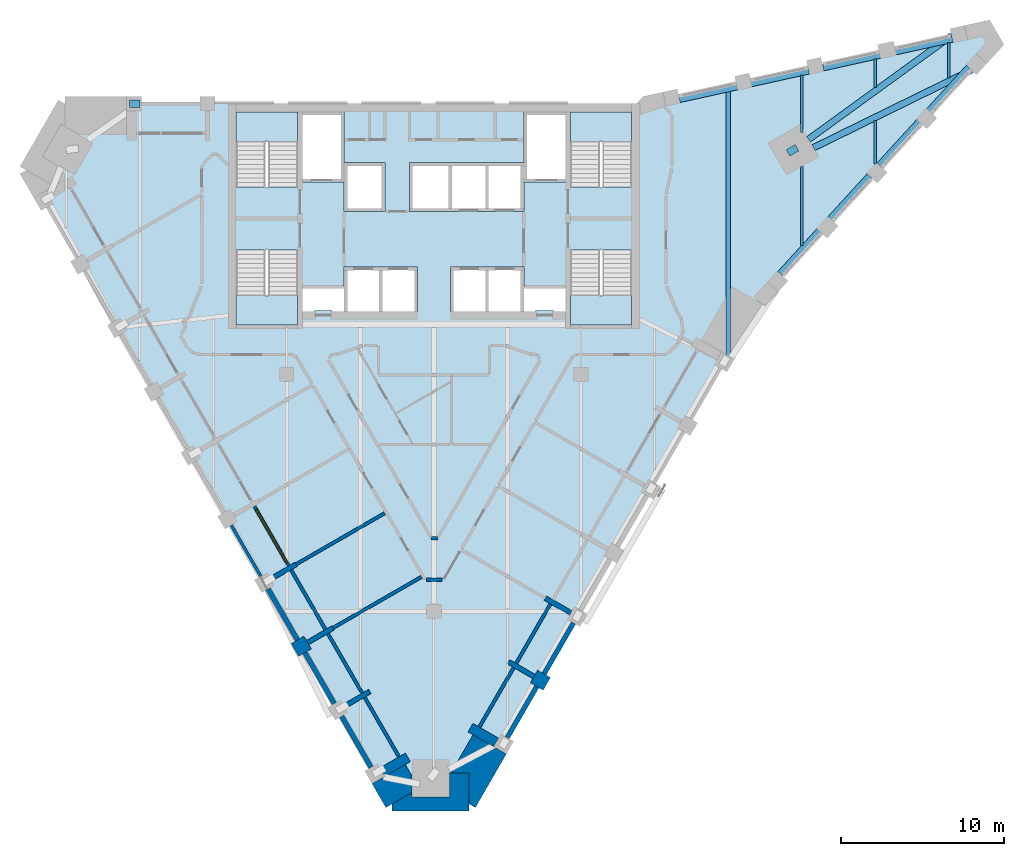
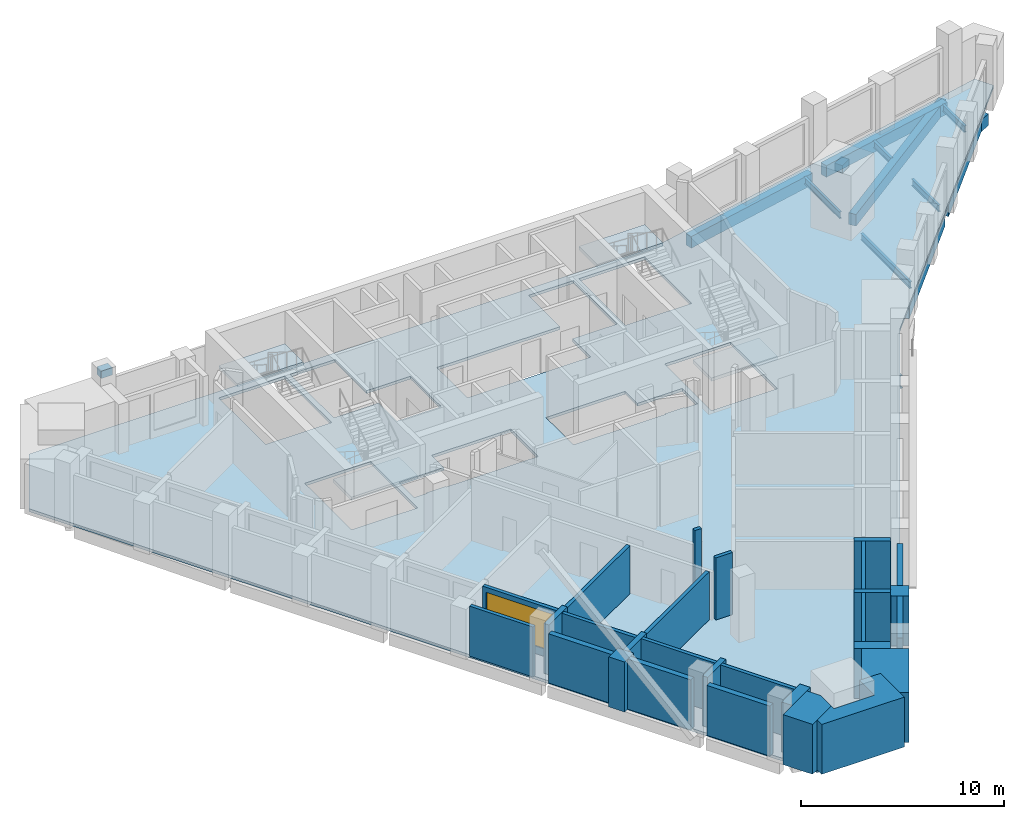
# One storey, part 2 of 9: 28 walls, 14 beams, 5 slabs, 1 window, 1 opening, 4 elements without a shape of their own.
"""IFC4 building model written with IfcOpenShell, lengths in metres."""

from ifc_helpers import new_model, si_unit, direction, frame, frame_2d, origin, origin_2d, place, context, subcontext, project, spatial, polyline, rectangle, i_section, outline, extrude, material, layer, layer_set, material_profile, profile_set, type_object, element, fill, aggregate, save


model = new_model("IFC4")

# Units and contexts
model_context = context("Model", 3, precision=1e-05, world=origin(), true_north=direction((0.0, 1.0)))
body_context = subcontext(model_context, "Body", "Model", "MODEL_VIEW")
ifc_project = project(units=[si_unit("LENGTHUNIT", "METRE"), si_unit("AREAUNIT", "SQUARE_METRE"), si_unit("VOLUMEUNIT", "CUBIC_METRE"), si_unit("PLANEANGLEUNIT", "RADIAN"), si_unit("MASSUNIT", "GRAM", prefix="KILO")], contexts=[model_context])

# Site, building, storey
site_placement = place(None, origin())
site = spatial("IfcSite", under=ifc_project, at=site_placement, CompositionType="ELEMENT")
building_placement = place(site_placement, origin())
building = spatial("IfcBuilding", under=site, at=building_placement, Name="Calabash Gate Tower", CompositionType="ELEMENT")
storey_placement = place(building_placement, frame((0.0, 0.0, 256.0)))
storey = spatial("IfcBuildingStorey", under=building, at=storey_placement, Name="L61", CompositionType="ELEMENT", Elevation=256.0)

# Beams
ifc_material_1 = material(Name="Concrete C80/95", Category="concrete")
ifc_material_profile_1 = material_profile(ifc_material_1, rectangle(XDim=0.449951171875, YDim=0.449951171875, at=origin_2d()))
ifc_profile_set_1 = profile_set([ifc_material_profile_1], Name="Concrete C80/95")
beam_type_1 = type_object("IfcBeamType", Name="Column offset link RC 450x450 Concrete C80/95", PredefinedType="BEAM", material=ifc_profile_set_1)
beam_1_placement = place(storey_placement, frame((21.6689453125, 16.04296875, 3.50390625), z_axis=(0.867052298237, 0.498217133508, 0.0), x_axis=(-0.498217133508, 0.867052298237, 0.0)))
element("IfcBeam", 1, at=beam_1_placement, inside=storey, type_object=beam_type_1, Name="Column offset link L61 NE", PredefinedType="BEAM", context=body_context, shape_type="SweptSolid", body=[
    extrude(rectangle(XDim=0.449951171875, YDim=0.449951171875, at=origin_2d()), origin(), (0.0, 0.0, 1.0), 0.632080078125),
])
beam_2_placement = place(storey_placement, frame((-18.618896484375, 19.052978515625, 3.50390625), z_axis=(1.0, 0.0, 0.0), x_axis=(0.0, 1.0, 0.0)))
element("IfcBeam", 2, at=beam_2_placement, inside=storey, type_object=beam_type_1, Name="Column offset link L61 P31", PredefinedType="BEAM", context=body_context, shape_type="SweptSolid", body=[
    extrude(rectangle(XDim=0.449951171875, YDim=0.449951171875, at=origin_2d()), origin(), (0.0, 0.0, 1.0), 0.6298828125),
])
ifc_material_2 = material(Name="Concrete C50/60", Category="concrete")
ifc_material_profile_2 = material_profile(ifc_material_2, rectangle(XDim=0.39990234375, YDim=0.699951171875, at=origin_2d()))
ifc_profile_set_2 = profile_set([ifc_material_profile_2], Name="Concrete C50/60")
beam_type_2 = type_object("IfcBeamType", Name="Edge beam RC 400x700 Concrete C50/60", PredefinedType="BEAM", material=ifc_profile_set_2)
beam_3_placement = place(storey_placement, frame((21.18701171875, 8.652099609375, -0.52001953125), z_axis=(0.674873802315, 0.737933161573, 0.0), x_axis=(-0.737933161573, 0.674873802315, 0.0)))
element("IfcBeam", 3, at=beam_3_placement, inside=storey, type_object=beam_type_2, Name="Edge beam L61 10", PredefinedType="BEAM", context=body_context, shape_type="SweptSolid", body=[
    extrude(rectangle(XDim=0.39990234375, YDim=0.699951171875, at=origin_2d()), origin(), (0.0, 0.0, 1.0), 8.099365234375),
])
beam_4_placement = place(storey_placement, frame((27.260009765625, 15.29296875, -0.52001953125), z_axis=(0.67486440312, 0.737941757459, 0.0), x_axis=(-0.737941757459, 0.67486440312, 0.0)))
element("IfcBeam", 4, at=beam_4_placement, inside=storey, type_object=beam_type_2, Name="Edge beam L61 11", PredefinedType="BEAM", context=body_context, shape_type="SweptSolid", body=[
    extrude(rectangle(XDim=0.39990234375, YDim=0.699951171875, at=origin_2d()), origin(), (0.0, 0.0, 1.0), 8.100830078125),
])
beam_5_placement = place(storey_placement, frame((32.922119140625, 21.1201171875, -0.52001953125), z_axis=(-0.897752470083, -0.44050028656, 0.0), x_axis=(0.44050028656, -0.897752470083, 0.0)))
element("IfcBeam", 5, at=beam_5_placement, inside=storey, type_object=beam_type_2, Name="Edge beam L61 12", PredefinedType="BEAM", context=body_context, shape_type="SweptSolid", body=[
    extrude(rectangle(XDim=0.39990234375, YDim=0.699951171875, at=origin_2d()), origin(), (0.0, 0.0, 1.0), 10.79931640625),
])
beam_6_placement = place(storey_placement, frame((22.923095703125, 16.87109375, -0.52001953125), z_axis=(0.809411988803, 0.587241204601, 0.0), x_axis=(-0.587241204601, 0.809411988803, 0.0)))
element("IfcBeam", 6, at=beam_6_placement, inside=storey, type_object=beam_type_2, Name="Edge beam L61 13", PredefinedType="BEAM", context=body_context, shape_type="SweptSolid", body=[
    extrude(rectangle(XDim=0.39990234375, YDim=0.699951171875, at=origin_2d()), origin(), (0.0, 0.0, 1.0), 10.84716796875),
])
beam_7_placement = place(storey_placement, frame((31.72705078125, 23.006103515625, -0.52001953125), z_axis=(-0.976492437334, -0.215551663945, 0.0), x_axis=(0.215551663945, -0.976492437334, 0.0)))
element("IfcBeam", 7, at=beam_7_placement, inside=storey, type_object=beam_type_2, Name="Edge beam L61 14", PredefinedType="BEAM", context=body_context, shape_type="SweptSolid", body=[
    extrude(rectangle(XDim=0.39990234375, YDim=0.699951171875, at=origin_2d()), origin(), (0.0, 0.0, 1.0), 8.1005859375),
])
beam_8_placement = place(storey_placement, frame((22.93603515625, 21.06591796875, -0.52001953125), z_axis=(-0.976517152373, -0.215439669332, 0.0), x_axis=(0.215439669332, -0.976517152373, 0.0)))
element("IfcBeam", 8, at=beam_8_placement, inside=storey, type_object=beam_type_2, Name="Edge beam L61 15", PredefinedType="BEAM", context=body_context, shape_type="SweptSolid", body=[
    extrude(rectangle(XDim=0.39990234375, YDim=0.699951171875, at=origin_2d()), origin(), (0.0, 0.0, 1.0), 8.09912109375),
])
ifc_material_3 = material(Name="Steel ASTM A992 Gr50", Category="steel")
ifc_material_profile_3 = material_profile(ifc_material_3, i_section(OverallWidth=0.1396484375, OverallDepth=0.398681640625, WebThickness=0.00634765625, FlangeThickness=0.0087890625, FilletRadius=0.01025390625, at=origin_2d()))
ifc_profile_set_3 = profile_set([ifc_material_profile_3], Name="Steel ASTM A992 Gr50")
beam_type_3 = type_object("IfcBeamType", Name="Floor beam W16x26 ASTM A992 Gr50", PredefinedType="BEAM", material=ifc_profile_set_3)
beam_9_placement = place(storey_placement, frame((22.5, 10.3720703125, -0.368896484375), z_axis=(0.0, 1.0, 0.0), x_axis=(-1.0, 0.0, 0.0)))
element("IfcBeam", 9, at=beam_9_placement, inside=storey, type_object=beam_type_3, Name="Floor beam L61 17", PredefinedType="BEAM", context=body_context, shape_type="SweptSolid", body=[
    extrude(i_section(OverallWidth=0.1396484375, OverallDepth=0.398681640625, WebThickness=0.00634765625, FlangeThickness=0.0087890625, FilletRadius=0.01025390625, at=origin_2d()), origin(), (0.0, 0.0, 1.0), 4.842041015625),
])
beam_10_placement = place(storey_placement, frame((22.5, 17.2900390625, -0.368896484375), z_axis=(0.0, 1.0, 0.0), x_axis=(-1.0, 0.0, 0.0)))
element("IfcBeam", 10, at=beam_10_placement, inside=storey, type_object=beam_type_3, Name="Floor beam L61 18", PredefinedType="BEAM", context=body_context, shape_type="SweptSolid", body=[
    extrude(i_section(OverallWidth=0.1396484375, OverallDepth=0.398681640625, WebThickness=0.00634765625, FlangeThickness=0.0087890625, FilletRadius=0.01025390625, at=origin_2d()), origin(), (0.0, 0.0, 1.0), 3.507080078125),
])
beam_11_placement = place(storey_placement, frame((27.0, 15.35693359375, -0.368896484375), z_axis=(0.0, 1.0, 0.0), x_axis=(-1.0, 0.0, 0.0)))
element("IfcBeam", 11, at=beam_11_placement, inside=storey, type_object=beam_type_3, Name="Floor beam L61 19", PredefinedType="BEAM", context=body_context, shape_type="SweptSolid", body=[
    extrude(i_section(OverallWidth=0.1396484375, OverallDepth=0.398681640625, WebThickness=0.00634765625, FlangeThickness=0.0087890625, FilletRadius=0.01025390625, at=origin_2d()), origin(), (0.0, 0.0, 1.0), 2.656982421875),
])
beam_12_placement = place(storey_placement, frame((27.0, 20.0439453125, -0.368896484375), z_axis=(0.0, 1.0, 0.0), x_axis=(-1.0, 0.0, 0.0)))
element("IfcBeam", 12, at=beam_12_placement, inside=storey, type_object=beam_type_3, Name="Floor beam L61 20", PredefinedType="BEAM", context=body_context, shape_type="SweptSolid", body=[
    extrude(i_section(OverallWidth=0.1396484375, OverallDepth=0.398681640625, WebThickness=0.00634765625, FlangeThickness=0.0087890625, FilletRadius=0.01025390625, at=origin_2d()), origin(), (0.0, 0.0, 1.0), 1.74609375),
])
beam_13_placement = place(storey_placement, frame((31.5, 20.623046875, -0.368896484375), z_axis=(0.0, 1.0, 0.0), x_axis=(-1.0, 0.0, 0.0)))
element("IfcBeam", 13, at=beam_13_placement, inside=storey, type_object=beam_type_3, Name="Floor beam L61 21", PredefinedType="BEAM", context=body_context, shape_type="SweptSolid", body=[
    extrude(i_section(OverallWidth=0.1396484375, OverallDepth=0.398681640625, WebThickness=0.00634765625, FlangeThickness=0.0087890625, FilletRadius=0.01025390625, at=origin_2d()), origin(), (0.0, 0.0, 1.0), 2.159912109375),
])
ifc_material_4 = material(Name="Steel ASTM A992 Gr50", Category="steel")
ifc_material_profile_4 = material_profile(ifc_material_4, i_section(OverallWidth=0.2666015625, OverallDepth=0.7568359375, WebThickness=0.013916015625, FlangeThickness=0.019287109375, FilletRadius=0.0166015625, at=origin_2d()))
ifc_profile_set_4 = profile_set([ifc_material_profile_4], Name="Steel ASTM A992 Gr50")
beam_type_4 = type_object("IfcBeamType", Name="Floor beam W30x108 ASTM A992 Gr50", PredefinedType="BEAM", material=ifc_profile_set_4)
beam_14_placement = place(storey_placement, frame((18.0, 3.616943359375, -0.548095703125), z_axis=(0.0, 1.0, 0.0), x_axis=(-1.0, 0.0, 0.0)))
element("IfcBeam", 14, at=beam_14_placement, inside=storey, type_object=beam_type_4, Name="Floor beam L61 16", PredefinedType="BEAM", context=body_context, shape_type="SweptSolid", body=[
    extrude(i_section(OverallWidth=0.2666015625, OverallDepth=0.7568359375, WebThickness=0.013916015625, FlangeThickness=0.019287109375, FilletRadius=0.0166015625, at=origin_2d()), origin(), (0.0, 0.0, 1.0), 16.18701171875),
])

# Slab
ifc_material_5 = material(Name="Concrete C40/50", Category="concrete")
ifc_layer_1 = layer(ifc_material_5, 0.169921875)
ifc_layer_set_1 = layer_set([ifc_layer_1], Name="Composite floor slab 170 Concrete C40/50")
slab_type_1 = type_object("IfcSlabType", Name="Composite floor slab 170 Concrete C40/50", PredefinedType="FLOOR", material=ifc_layer_set_1)
slab_1_placement = place(storey_placement, frame((0.0, 0.0, -0.169921875)))
element("IfcSlab", 15, at=slab_1_placement, inside=storey, type_object=slab_type_1, Name="Floor slab L61", PredefinedType="FLOOR", context=body_context, shape_type="SweptSolid", body=[
    extrude(outline(polyline([(-24.941650390625, 14.9833984375), (-22.59228515625, 19.052490234375), (12.88134765625, 19.052490234375), (33.783935546875, 23.664794921875), (34.326904296875, 22.724365234375), (19.88134765625, 6.92822265625), (2.14453125, -23.79296875), (-2.553955078125, -23.79296875), (-24.941650390625, 14.9833984375)]), holes=[polyline([(-1.0, 9.052490234375), (-3.25, 9.052490234375), (-5.5, 9.052490234375), (-5.5, 7.8525390625), (-8.050048828125, 7.8525390625), (-8.050048828125, 6.3525390625), (-7.324951171875, 6.3525390625), (-7.324951171875, 6.402587890625), (-6.22509765625, 6.402587890625), (-6.22509765625, 6.3525390625), (-5.5, 6.3525390625), (-3.25, 6.3525390625), (-1.0, 6.3525390625), (-1.0, 9.052490234375)]), polyline([(3.25, 6.3525390625), (5.5, 6.3525390625), (6.22509765625, 6.3525390625), (6.22509765625, 6.402587890625), (7.324951171875, 6.402587890625), (7.324951171875, 6.3525390625), (8.050048828125, 6.3525390625), (8.050048828125, 7.8525390625), (5.5, 7.8525390625), (5.5, 9.052490234375), (3.25, 9.052490234375), (1.0, 9.052490234375), (1.0, 6.3525390625), (3.25, 6.3525390625)]), polyline([(-5.5, 14.252685546875), (-5.5, 12.45263671875), (-3.0, 12.45263671875), (-3.0, 15.45263671875), (-5.5, 15.45263671875), (-5.5, 18.552490234375), (-8.050048828125, 18.552490234375), (-8.050048828125, 14.252685546875), (-5.5, 14.252685546875)]), polyline([(1.0, 15.45263671875), (-1.5, 15.45263671875), (-1.5, 12.45263671875), (1.0, 12.45263671875), (3.25, 12.45263671875), (5.5, 12.45263671875), (5.5, 14.252685546875), (8.050048828125, 14.252685546875), (8.050048828125, 18.552490234375), (5.5, 18.552490234375), (5.5, 15.45263671875), (3.25, 15.45263671875), (1.0, 15.45263671875)]), polyline([(-8.35009765625, 18.552490234375), (-12.10009765625, 18.552490234375), (-12.10009765625, 13.95263671875), (-8.35009765625, 13.95263671875), (-8.35009765625, 18.552490234375)]), polyline([(-12.10009765625, 10.1025390625), (-12.10009765625, 5.502685546875), (-8.35009765625, 5.502685546875), (-8.35009765625, 10.1025390625), (-12.10009765625, 10.1025390625)]), polyline([(8.35009765625, 13.95263671875), (12.10009765625, 13.95263671875), (12.10009765625, 18.552490234375), (8.35009765625, 18.552490234375), (8.35009765625, 13.95263671875)]), polyline([(12.10009765625, 5.502685546875), (12.10009765625, 10.1025390625), (8.35009765625, 10.1025390625), (8.35009765625, 5.502685546875), (12.10009765625, 5.502685546875)])]), origin(), (0.0, 0.0, 1.0), 0.169921875),
])

# Stair, slab
ifc_material_6 = material(Name="Concrete C40/50", Category="concrete")
stair_type = type_object("IfcStairType", Name="Exit stair 22 risers of 177.3 mm", PredefinedType="HALF_TURN_STAIR", material=ifc_material_6)
stair_1_placement = place(storey_placement, origin())
stair_1 = element("IfcStair", 16, at=stair_1_placement, inside=storey, type_object=stair_type, Name="L61 Exit stair ST1", PredefinedType="HALF_TURN_STAIR")
ifc_material_7 = material(Name="Concrete C40/50", Category="concrete")
ifc_layer_2 = layer(ifc_material_7, 0.199951171875)
ifc_layer_set_2 = layer_set([ifc_layer_2], Name="Stair landing SL200")
slab_type_2 = type_object("IfcSlabType", Name="Stair landing SL200", PredefinedType="LANDING", material=ifc_layer_set_2)
slab_2_placement = place(storey_placement, frame((0.0, 0.0, 1.75)))
slab_2 = element("IfcSlab", 17, at=slab_2_placement, type_object=slab_type_2, Name="ST1 landing 1", PredefinedType="LANDING", context=body_context, shape_type="SweptSolid", body=[
    extrude(outline(polyline([(-8.35009765625, 16.74267578125), (-8.35009765625, 18.552490234375), (-12.10009765625, 18.552490234375), (-12.10009765625, 16.74267578125), (-8.35009765625, 16.74267578125)])), origin(), (0.0, 0.0, 1.0), 0.199951171875),
])
aggregate(stair_1, [slab_2])

stair_2_placement = place(storey_placement, origin())
stair_2 = element("IfcStair", 18, at=stair_2_placement, inside=storey, type_object=stair_type, Name="L61 Exit stair ST2", PredefinedType="HALF_TURN_STAIR")
slab_3_placement = place(storey_placement, frame((0.0, 0.0, 1.75)))
slab_3 = element("IfcSlab", 19, at=slab_3_placement, type_object=slab_type_2, Name="ST2 landing 1", PredefinedType="LANDING", context=body_context, shape_type="SweptSolid", body=[
    extrude(outline(polyline([(-12.10009765625, 7.3125), (-12.10009765625, 5.502685546875), (-8.35009765625, 5.502685546875), (-8.35009765625, 7.3125), (-12.10009765625, 7.3125)])), origin(), (0.0, 0.0, 1.0), 0.199951171875),
])
aggregate(stair_2, [slab_3])

stair_3_placement = place(storey_placement, origin())
stair_3 = element("IfcStair", 20, at=stair_3_placement, inside=storey, type_object=stair_type, Name="L61 Exit stair ST3", PredefinedType="HALF_TURN_STAIR")
slab_4_placement = place(storey_placement, frame((0.0, 0.0, 1.75)))
slab_4 = element("IfcSlab", 21, at=slab_4_placement, type_object=slab_type_2, Name="ST3 landing 1", PredefinedType="LANDING", context=body_context, shape_type="SweptSolid", body=[
    extrude(outline(polyline([(12.10009765625, 16.74267578125), (12.10009765625, 18.552490234375), (8.35009765625, 18.552490234375), (8.35009765625, 16.74267578125), (12.10009765625, 16.74267578125)])), origin(), (0.0, 0.0, 1.0), 0.199951171875),
])
aggregate(stair_3, [slab_4])

stair_4_placement = place(storey_placement, origin())
stair_4 = element("IfcStair", 22, at=stair_4_placement, inside=storey, type_object=stair_type, Name="L61 Exit stair ST4", PredefinedType="HALF_TURN_STAIR")
slab_5_placement = place(storey_placement, frame((0.0, 0.0, 1.75)))
slab_5 = element("IfcSlab", 23, at=slab_5_placement, type_object=slab_type_2, Name="ST4 landing 1", PredefinedType="LANDING", context=body_context, shape_type="SweptSolid", body=[
    extrude(outline(polyline([(8.35009765625, 7.3125), (8.35009765625, 5.502685546875), (12.10009765625, 5.502685546875), (12.10009765625, 7.3125), (8.35009765625, 7.3125)])), origin(), (0.0, 0.0, 1.0), 0.199951171875),
])
aggregate(stair_4, [slab_5])

# Walls
ifc_material_8 = material(Name="Terracotta brick masonry, exposed face", Category="masonry")
ifc_layer_3 = layer(ifc_material_8, 2.35009765625)
ifc_layer_set_3 = layer_set([ifc_layer_3], Name="Brick corner mass wall 2350")
wall_type_1 = type_object("IfcWallType", Name="Brick corner mass wall 2350", PredefinedType="SOLIDWALL", material=ifc_layer_set_3)
wall_1_placement = place(storey_placement, origin())
element("IfcWall", 24, at=wall_1_placement, inside=storey, type_object=wall_type_1, Name="Brick corner pier S17 1a", PredefinedType="SOLIDWALL", context=body_context, shape_type="SweptSolid", body=[
    extrude(outline(polyline([(-1.35302734375, -22.0732421875), (-1.75244140625, -21.381591796875), (-3.00830078125, -22.106689453125), (-3.00830078125, -22.106689453125), (-3.78759765625, -22.556640625), (-2.94384765625, -24.01806640625), (-1.35302734375, -23.099609375), (-1.35302734375, -22.0732421875)])), origin(), (0.0, 0.0, 1.0), 3.0),
])
wall_2_placement = place(storey_placement, origin())
element("IfcWall", 25, at=wall_2_placement, inside=storey, type_object=wall_type_1, Name="Brick corner pier S17 1b", PredefinedType="SOLIDWALL", context=body_context, shape_type="SweptSolid", body=[
    extrude(outline(polyline([(-1.35302734375, -23.365966796875), (-1.35302734375, -23.099609375), (-2.553955078125, -23.79296875), (-2.553955078125, -24.242919921875), (2.14453125, -24.242919921875), (2.14453125, -21.89306640625), (0.947021484375, -21.89306640625), (0.947021484375, -23.365966796875), (-1.35302734375, -23.365966796875)])), origin(), (0.0, 0.0, 1.0), 3.0),
])
wall_3_placement = place(storey_placement, origin())
element("IfcWall", 26, at=wall_3_placement, inside=storey, type_object=wall_type_1, Name="Brick corner pier S17 1c", PredefinedType="SOLIDWALL", context=body_context, shape_type="SweptSolid", body=[
    extrude(outline(polyline([(3.6484375, -20.28857421875), (2.392578125, -19.5634765625), (1.047607421875, -21.89306640625), (2.14453125, -21.89306640625), (2.14453125, -23.79296875), (2.5341796875, -24.01806640625), (4.427490234375, -20.73876953125), (3.648193359375, -20.288818359375), (3.6484375, -20.28857421875)])), origin(), (0.0, 0.0, 1.0), 3.0),
])
ifc_material_9 = material(Name="Terracotta brick masonry, exposed face", Category="masonry")
ifc_layer_4 = layer(ifc_material_9, 0.89990234375)
ifc_layer_set_4 = layer_set([ifc_layer_4], Name="Brick end wall 900")
wall_type_2 = type_object("IfcWallType", Name="Brick end wall 900", PredefinedType="SOLIDWALL", material=ifc_layer_set_4)
for number, where, z_axis, x_axis, name in (
    (27, (-7.89794921875, -14.537353515625, 0.0), (0.0, 0.0, 1.0), (-0.499902469156, 0.866081705922, 0.0), "Brick pier S17 SW0.7"),
    (28, (6.2880859375, -16.616455078125, 0.0), (0.0, 0.0, 1.0), (0.499902469156, 0.866081705922, 0.0), "Brick pier S17 SE2.1"),
):
    element("IfcWall", number, at=place(storey_placement, frame(where, z_axis=z_axis, x_axis=x_axis)), inside=storey, type_object=wall_type_2, Name=name, PredefinedType="SOLIDWALL", context=body_context, shape_type="SweptSolid", body=[
        extrude(rectangle(XDim=0.900146484375, YDim=0.89990234375, at=frame_2d((0.4501953125, 0.0))), origin(), (0.0, 0.0, 1.0), 3.0),
    ])
ifc_material_10 = material(Name="Terracotta brick masonry, exposed face", Category="masonry")
ifc_layer_5 = layer(ifc_material_10, 0.300048828125)
ifc_layer_set_5 = layer_set([ifc_layer_5], Name="Brick infill panel wall 300")
wall_type_3 = type_object("IfcWallType", Name="Brick infill panel wall 300", PredefinedType="SOLIDWALL", material=ifc_layer_set_5)
wall_4_placement = place(storey_placement, frame((-10.14794921875, -10.64013671875, 0.0), z_axis=(0.0, 0.0, 1.0), x_axis=(0.500012057535, -0.866018442252, 0.0)))
element("IfcWall", 29, at=wall_4_placement, inside=storey, type_object=wall_type_3, Name="Brick panel S17 SW0.7", PredefinedType="SOLIDWALL", context=body_context, shape_type="SweptSolid", body=[
    extrude(rectangle(XDim=3.60009765625, YDim=0.300048828125, at=frame_2d((1.800048828125, 0.0))), origin(), (0.0, 0.0, 1.0), 2.9501953125),
])
wall_5_placement = place(storey_placement, frame((-6.0986328125, -17.653564453125, 0.0), z_axis=(0.0, 0.0, 1.0), x_axis=(-0.500035678719, 0.866004803686, 0.0)))
element("IfcWall", 30, at=wall_5_placement, inside=storey, type_object=wall_type_3, Name="Brick panel S17 SW0.8", PredefinedType="SOLIDWALL", context=body_context, shape_type="SweptSolid", body=[
    extrude(rectangle(XDim=3.598388671875, YDim=0.300048828125, at=frame_2d((1.79931640625, 0.0))), origin(), (0.0, 0.0, 1.0), 3.0),
])
for number, where, z_axis, x_axis, name in (
    (31, (-5.64794921875, -18.434326171875, 0.0), (0.0, 0.0, 1.0), (0.500012057535, -0.866018442252, 0.0), "Brick panel S17 SW0.9"),
    (32, (4.488037109375, -19.734130859375, 0.0), (0.0, 0.0, 1.0), (0.500012057535, 0.866018442252, 0.0), "Brick panel S17 SE2.1"),
):
    element("IfcWall", number, at=place(storey_placement, frame(where, z_axis=z_axis, x_axis=x_axis)), inside=storey, type_object=wall_type_3, Name=name, PredefinedType="SOLIDWALL", context=body_context, shape_type="SweptSolid", body=[
        extrude(rectangle(XDim=3.60009765625, YDim=0.300048828125, at=frame_2d((1.800048828125, 0.0))), origin(), (0.0, 0.0, 1.0), 3.0),
    ])
wall_6_placement = place(storey_placement, frame((6.738037109375, -15.8369140625, 0.0), z_axis=(0.0, 0.0, 1.0), x_axis=(0.499990559667, 0.866030854095, 0.0)))
element("IfcWall", 33, at=wall_6_placement, inside=storey, type_object=wall_type_3, Name="Brick panel S17 SE2.2", PredefinedType="SOLIDWALL", context=body_context, shape_type="SweptSolid", body=[
    extrude(rectangle(XDim=3.599609375, YDim=0.300048828125, at=frame_2d((1.7998046875, 0.0))), origin(), (0.0, 0.0, 1.0), 3.0),
])
ifc_material_11 = material(Name="Terracotta brick masonry, exposed face", Category="masonry")
ifc_layer_6 = layer(ifc_material_11, 0.300048828125)
ifc_layer_set_6 = layer_set([ifc_layer_6], Name="Brick loggia cheek wall 300")
wall_type_4 = type_object("IfcWallType", Name="Brick loggia cheek wall 300", PredefinedType="SOLIDWALL", material=ifc_layer_set_6)
for number, where, z_axis, x_axis, name in (
    (34, (-9.983154296875, -10.025390625, 0.0), (0.0, 0.0, 1.0), (0.866047807691, 0.499961193289, 0.0), "Loggia cheek S17 SW0.6"),
    (35, (-6.17431640625, -13.0224609375, 0.0), (0.0, 0.0, 1.0), (-0.865989075817, -0.500062916607, 0.0), "Loggia cheek S17 SW0.7"),
):
    element("IfcWall", number, at=place(storey_placement, frame(where, z_axis=z_axis, x_axis=x_axis)), inside=storey, type_object=wall_type_4, Name=name, PredefinedType="SOLIDWALL", context=body_context, shape_type="SweptSolid", body=[
        extrude(rectangle(XDim=1.800048828125, YDim=0.300048828125, at=frame_2d((0.89990234375, 0.0))), origin(), (0.0, 0.0, 1.0), 3.0),
    ])
wall_7_placement = place(storey_placement, frame((-3.92431640625, -16.919677734375, 0.0), z_axis=(0.0, 0.0, 1.0), x_axis=(-0.866004803686, -0.500035678719, 0.0)))
element("IfcWall", 36, at=wall_7_placement, inside=storey, type_object=wall_type_4, Name="Loggia cheek S17 SW0.8", PredefinedType="SOLIDWALL", context=body_context, shape_type="SweptSolid", body=[
    extrude(rectangle(XDim=1.799072265625, YDim=0.300048828125, at=frame_2d((0.8994140625, 0.0))), origin(), (0.0, 0.0, 1.0), 3.0),
])
for number, where, z_axis, x_axis, name in (
    (37, (-3.158203125, -21.8466796875, 0.0), (0.0, 0.0, 1.0), (0.866047807691, 0.499961193289, 0.0), "Loggia cheek S17 SW0.9"),
    (38, (3.79833984375, -20.028564453125, 0.0), (0.0, 0.0, 1.0), (-0.866047807691, 0.499961193289, 0.0), "Loggia cheek S17 SE2.0"),
):
    element("IfcWall", number, at=place(storey_placement, frame(where, z_axis=z_axis, x_axis=x_axis)), inside=storey, type_object=wall_type_4, Name=name, PredefinedType="SOLIDWALL", context=body_context, shape_type="SweptSolid", body=[
        extrude(rectangle(XDim=1.800048828125, YDim=0.60009765625, at=frame_2d((0.89990234375, 0.0))), origin(), (0.0, 0.0, 1.0), 3.0),
    ])
wall_8_placement = place(storey_placement, frame((6.123291015625, -16.001708984375, 0.0), z_axis=(0.0, 0.0, 1.0), x_axis=(-0.865989075817, 0.500062916607, 0.0)))
element("IfcWall", 39, at=wall_8_placement, inside=storey, type_object=wall_type_4, Name="Loggia cheek S17 SE2.1", PredefinedType="SOLIDWALL", context=body_context, shape_type="SweptSolid", body=[
    extrude(rectangle(XDim=1.800048828125, YDim=0.300048828125, at=frame_2d((0.89990234375, 0.0))), origin(), (0.0, 0.0, 1.0), 3.0),
])
wall_9_placement = place(storey_placement, frame((8.373291015625, -12.1044921875, 0.0), z_axis=(0.0, 0.0, 1.0), x_axis=(-0.866047807691, 0.499961193289, 0.0)))
element("IfcWall", 40, at=wall_9_placement, inside=storey, type_object=wall_type_4, Name="Loggia cheek S17 SE2.2", PredefinedType="SOLIDWALL", context=body_context, shape_type="SweptSolid", body=[
    extrude(rectangle(XDim=1.800048828125, YDim=0.300048828125, at=frame_2d((0.89990234375, 0.0))), origin(), (0.0, 0.0, 1.0), 2.9501953125),
])
ifc_material_12 = material(Name="Gypsum board on steel studs, mineral wool", Category="steel")
ifc_layer_7 = layer(ifc_material_12, 0.199951171875)
ifc_layer_set_7 = layer_set([ifc_layer_7], Name="Partition 200 gypsum board EI 60")
wall_type_5 = type_object("IfcWallType", Name="Partition 200 gypsum board EI 60", PredefinedType="PARTITIONING", material=ifc_layer_set_7)
wall_10_placement = place(storey_placement, frame((-6.174072265625, -13.02294921875, 0.0), z_axis=(0.0, 0.0, 1.0), x_axis=(0.866143960209, 0.499794598003, 0.0)))
element("IfcWall", 41, at=wall_10_placement, inside=storey, type_object=wall_type_5, Name="Partition", PredefinedType="PARTITIONING", context=body_context, shape_type="SweptSolid", body=[
    extrude(rectangle(XDim=6.249755859375, YDim=0.199951171875, at=frame_2d((3.125, 0.0))), origin(), (0.0, 0.0, 1.0), 2.884033203125),
])
wall_11_placement = place(storey_placement, frame((-0.4453125, -10.072509765625, 0.0), z_axis=(0.0, 0.0, 1.0), x_axis=(1.0, 0.0, 0.0)))
element("IfcWall", 42, at=wall_11_placement, inside=storey, type_object=wall_type_5, Name="Partition", PredefinedType="PARTITIONING", context=body_context, shape_type="SweptSolid", body=[
    extrude(rectangle(XDim=0.943359375, YDim=0.199951171875, at=frame_2d((0.4716796875, 0.0))), origin(), (0.0, 0.0, 1.0), 3.72998046875),
])
wall_12_placement = place(storey_placement, frame((-0.160888671875, -7.530029296875, 0.0), z_axis=(0.0, 0.0, 1.0), x_axis=(0.999986611797, -0.005174574964, 0.0)))
element("IfcWall", 43, at=wall_12_placement, inside=storey, type_object=wall_type_5, Name="Partition", PredefinedType="PARTITIONING", context=body_context, shape_type="SweptSolid", body=[
    extrude(rectangle(XDim=0.37744140625, YDim=0.199951171875, at=frame_2d((0.188720703125, 0.0))), origin(), (0.0, 0.0, 1.0), 3.72998046875),
])
wall_13_placement = place(storey_placement, frame((-8.42431640625, -9.12548828125, 0.0), z_axis=(0.0, 0.0, 1.0), x_axis=(0.866180383398, 0.499731471309, 0.0)))
element("IfcWall", 44, at=wall_13_placement, inside=storey, type_object=wall_type_5, Name="Partition", PredefinedType="PARTITIONING", context=body_context, shape_type="SweptSolid", body=[
    extrude(rectangle(XDim=6.25, YDim=0.199951171875, at=frame_2d((3.125, 0.0))), origin(), (0.0, 0.0, 1.0), 2.884033203125),
])
ifc_material_13 = material(Name="Terracotta brick masonry, perforated", Category="masonry")
ifc_layer_8 = layer(ifc_material_13, 0.199951171875)
ifc_layer_set_8 = layer_set([ifc_layer_8], Name="Terracotta jaali screen A")
wall_type_6 = type_object("IfcWallType", Name="Terracotta jaali screen A", PredefinedType="SOLIDWALL", material=ifc_layer_set_8)
wall_14_placement = place(storey_placement, frame((-12.39794921875, -6.7431640625, 0.0), z_axis=(0.0, 0.0, 1.0), x_axis=(0.500012057535, -0.866018442252, 0.0)))
element("IfcWall", 45, at=wall_14_placement, inside=storey, type_object=wall_type_6, Name="SCREEN A S17 SW0.6", PredefinedType="SOLIDWALL", context=body_context, shape_type="SweptSolid", body=[
    extrude(rectangle(XDim=3.60009765625, YDim=0.199951171875, at=frame_2d((1.800048828125, 0.0))), origin(), (0.0, 0.0, 1.0), 3.0),
])

# Wall, opening, window
ifc_material_14 = material(Name="Aluminium framed window wall with insulated spandrel", Category="aluminium")
ifc_layer_9 = layer(ifc_material_14, 0.199951171875)
ifc_layer_set_9 = layer_set([ifc_layer_9], Name="Window wall 200")
wall_type_7 = type_object("IfcWallType", Name="Window wall 200", PredefinedType="ELEMENTEDWALL", material=ifc_layer_set_9)
wall_15_placement = place(storey_placement, frame((-10.989013671875, -5.583251953125, 0.0), z_axis=(0.0, 0.0, 1.0), x_axis=(0.500027713859, -0.866009402589, 0.0)))
wall_15 = element("IfcWall", 46, at=wall_15_placement, inside=storey, type_object=wall_type_7, Name="Window wall S17 SW0.6", PredefinedType="ELEMENTEDWALL", context=body_context, shape_type="SweptSolid", body=[
    extrude(rectangle(XDim=4.199951171875, YDim=0.199951171875, at=frame_2d((2.10009765625, 0.0))), origin(), (0.0, 0.0, 1.0), 3.0),
])
opening_placement = place(wall_15_placement, frame((0.199951171875, 0.0, 0.449951171875)))
opening = element("IfcOpeningElement", 47, at=opening_placement, cuts=wall_15, Name="Opening OW2", PredefinedType="OPENING", context=body_context, shape_type="SweptSolid", body=[
    extrude(rectangle(XDim=3.800048828125, YDim=2.25, at=frame_2d((1.89990234375, 1.125))), frame((0.0, 0.10986328125, 0.0), z_axis=(0.0, -1.0, 0.0), x_axis=(1.0, 0.0, 0.0)), (0.0, 0.0, 1.0), 0.219970703125),
])
ifc_material_15 = material(Name="Anodised aluminium frame, bronze finish, impact-rated laminated clear glazing", Category="aluminium")
window_type = type_object("IfcWindowType", Name="Window OW2 3800x2250", PartitioningType="TRIPLE_PANEL_VERTICAL", PredefinedType="WINDOW", material=ifc_material_15)
window_placement = place(opening_placement, origin())
window = element("IfcWindow", 48, at=window_placement, inside=storey, type_object=window_type, Name="Window OW2 S17 SW0.6", OverallHeight=2.25, OverallWidth=3.800048828125, PartitioningType="SINGLE_PANEL", PredefinedType="WINDOW", context=body_context, shape_type="SweptSolid", body=[
    extrude(rectangle(XDim=3.800048828125, YDim=2.25, at=frame_2d((1.89990234375, 1.125))), frame((0.0, 0.030029296875, 0.0), z_axis=(0.0, -1.0, 0.0), x_axis=(1.0, 0.0, 0.0)), (0.0, 0.0, 1.0), 0.06005859375),
])
fill(opening, window)

# Walls
wall_16_placement = place(storey_placement, frame((-8.739013671875, -9.48046875, 0.0), z_axis=(0.0, 0.0, 1.0), x_axis=(0.500027713859, -0.866009402589, 0.0)))
element("IfcWall", 49, at=wall_16_placement, inside=storey, type_object=wall_type_7, Name="Window wall S17 SW0.7", PredefinedType="ELEMENTEDWALL", context=body_context, shape_type="SweptSolid", body=[
    extrude(rectangle(XDim=4.199951171875, YDim=0.199951171875, at=frame_2d((2.10009765625, 0.0))), origin(), (0.0, 0.0, 1.0), 2.9501953125),
])
wall_17_placement = place(storey_placement, frame((-6.489013671875, -13.37744140625, 0.0), z_axis=(0.0, 0.0, 1.0), x_axis=(0.500002543286, -0.866023935413, 0.0)))
element("IfcWall", 50, at=wall_17_placement, inside=storey, type_object=wall_type_7, Name="Window wall S17 SW0.8", PredefinedType="ELEMENTEDWALL", context=body_context, shape_type="SweptSolid", body=[
    extrude(rectangle(XDim=4.2001953125, YDim=0.199951171875, at=frame_2d((2.10009765625, 0.0))), origin(), (0.0, 0.0, 1.0), 3.0),
])
for number, where, z_axis, x_axis, name in (
    (51, (-4.239013671875, -17.274658203125, 0.0), (0.0, 0.0, 1.0), (0.500027713859, -0.866009402589, 0.0), "Window wall S17 SW0.9"),
    (52, (2.779052734375, -19.09375, 0.0), (0.0, 0.0, 1.0), (0.500027713859, 0.866009402589, 0.0), "Window wall S17 SE2.1"),
):
    element("IfcWall", number, at=place(storey_placement, frame(where, z_axis=z_axis, x_axis=x_axis)), inside=storey, type_object=wall_type_7, Name=name, PredefinedType="ELEMENTEDWALL", context=body_context, shape_type="SweptSolid", body=[
        extrude(rectangle(XDim=4.199951171875, YDim=0.199951171875, at=frame_2d((2.10009765625, 0.0))), origin(), (0.0, 0.0, 1.0), 3.0),
    ])
wall_18_placement = place(storey_placement, frame((5.029052734375, -15.19677734375, 0.0), z_axis=(0.0, 0.0, 1.0), x_axis=(0.500002543286, 0.866023935413, 0.0)))
element("IfcWall", 53, at=wall_18_placement, inside=storey, type_object=wall_type_7, Name="Window wall S17 SE2.2", PredefinedType="ELEMENTEDWALL", context=body_context, shape_type="SweptSolid", body=[
    extrude(rectangle(XDim=4.2001953125, YDim=0.199951171875, at=frame_2d((2.10009765625, 0.0))), origin(), (0.0, 0.0, 1.0), 2.9501953125),
])

save(model, "model.ifc")
